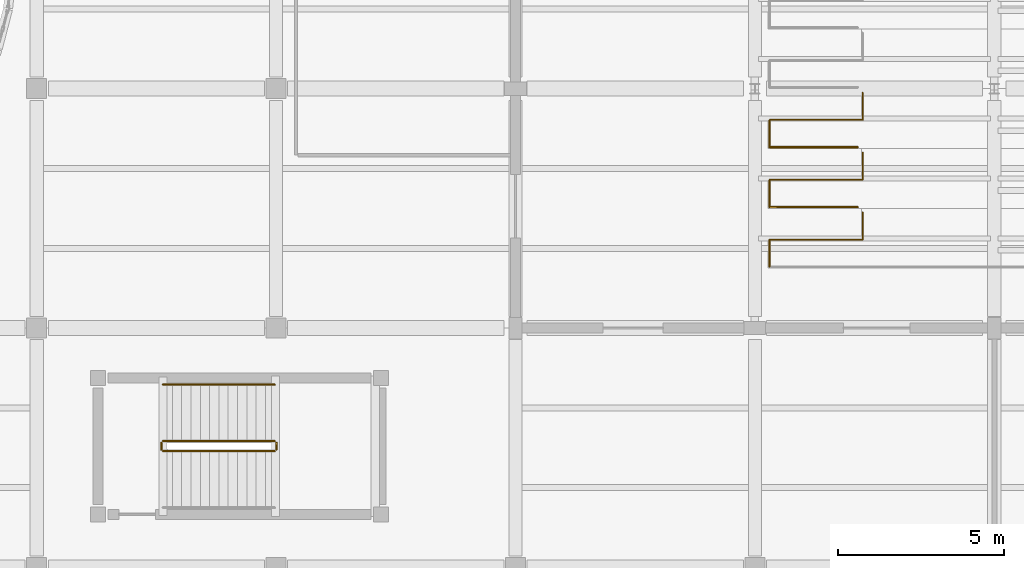
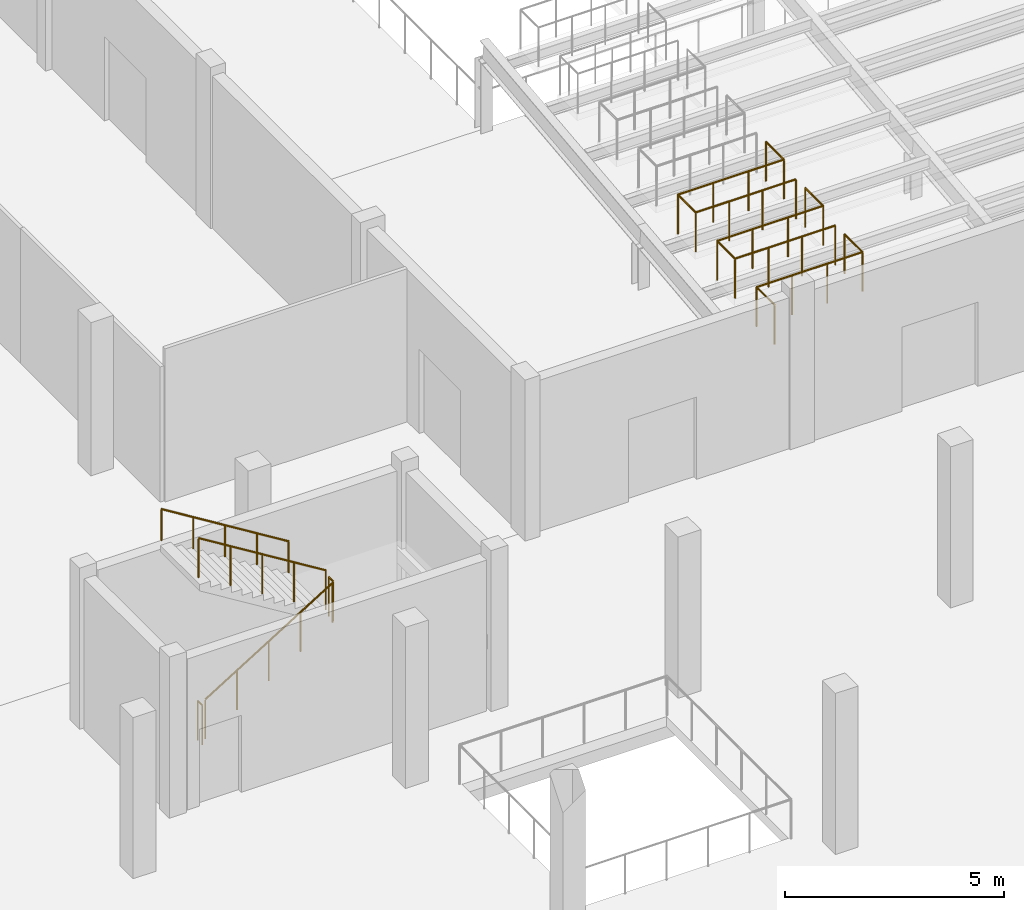
# One storey, part 98 of 105: 10 railings.
"""IFC4 building model written with IfcOpenShell, lengths in metres."""

from ifc_helpers import new_model, si_unit, direction, frame, origin, origin_2d, place, context, subcontext, project, spatial, circle, extrude, material, type_object, element, save


model = new_model("IFC4")

# Units and contexts
model_context = context("Model", 3, precision=1e-05, world=origin(), true_north=direction((0.0, 1.0)))
body_context = subcontext(model_context, "Body", "Model", "MODEL_VIEW")
ifc_project = project(units=[si_unit("LENGTHUNIT", "METRE"), si_unit("AREAUNIT", "SQUARE_METRE"), si_unit("VOLUMEUNIT", "CUBIC_METRE"), si_unit("PLANEANGLEUNIT", "RADIAN"), si_unit("MASSUNIT", "GRAM", prefix="KILO"), si_unit("THERMODYNAMICTEMPERATUREUNIT", "KELVIN"), si_unit("POWERUNIT", "WATT")], contexts=[model_context])

# Site, building, storey
site_placement = place(None, origin())
site = spatial("IfcSite", under=ifc_project, at=site_placement, CompositionType="ELEMENT")
building_placement = place(site_placement, origin())
building = spatial("IfcBuilding", under=site, at=building_placement, Name="Kaldorven Railside Theatre", CompositionType="ELEMENT")
storey_placement = place(building_placement, frame((0.0, 0.0, 9.89990234375)))
storey = spatial("IfcBuildingStorey", under=building, at=storey_placement, Name="L02", CompositionType="ELEMENT", Elevation=9.89990234375)

# Railings
ifc_material_1 = material(Name="Anodised bronze aluminium", Category="aluminium")
railing_type_1 = type_object("IfcRailingType", Name="RLG-BAL-1100", PredefinedType="BALUSTRADE", material=ifc_material_1)
for number, where, name in (
    (1, (94.840087890625, 42.639892578125, 1.4501953125), "L02 Auditorium Tier Safety Guard GR-103"),
    (2, (94.840087890625, 44.43994140625, 1.650146484375), "L02 Auditorium Tier Safety Guard GR-105"),
):
    element("IfcRailing", number, at=place(storey_placement, frame(where)), inside=storey, type_object=railing_type_1, Name=name, PredefinedType="BALUSTRADE", context=body_context, shape_type="SweptSolid", body=[
        extrude(circle(Radius=0.02392578125, at=origin_2d()), frame((0.0, 0.0, 1.09619140625), z_axis=(0.0, 1.0, 0.0), x_axis=(-1.0, 0.0, 0.0)), (0.0, 0.0, 1.0), 0.820068359375),
        extrude(circle(Radius=0.02392578125, at=origin_2d()), frame((0.0, 0.820068359375, 1.09619140625), z_axis=(1.0, 0.0, 0.0), x_axis=(0.0, 1.0, 0.0)), (0.0, 0.0, 1.0), 2.7998046875),
        extrude(circle(Radius=0.02392578125, at=origin_2d()), frame((2.7998046875, 0.820068359375, 1.09619140625), z_axis=(0.0, 1.0, 0.0), x_axis=(-1.0, 0.0, 0.0)), (0.0, 0.0, 1.0), 0.820068359375),
        extrude(circle(Radius=0.02099609375, at=origin_2d()), origin(), (0.0, 0.0, 1.0), 1.072021484375),
        extrude(circle(Radius=0.02099609375, at=origin_2d()), frame((0.0, 0.820068359375, 0.0)), (0.0, 0.0, 1.0), 1.072021484375),
        extrude(circle(Radius=0.02099609375, at=origin_2d()), frame((0.933349609375, 0.820068359375, 0.0)), (0.0, 0.0, 1.0), 1.072021484375),
        extrude(circle(Radius=0.02099609375, at=origin_2d()), frame((1.866455078125, 0.820068359375, 0.0)), (0.0, 0.0, 1.0), 1.072021484375),
        extrude(circle(Radius=0.02099609375, at=origin_2d()), frame((2.7998046875, 0.820068359375, 0.0)), (0.0, 0.0, 1.0), 1.072021484375),
        extrude(circle(Radius=0.02099609375, at=origin_2d()), frame((2.7998046875, 1.64013671875, 0.0)), (0.0, 0.0, 1.0), 1.072021484375),
    ])
railing_1_placement = place(storey_placement, frame((97.487060546875, 44.43994140625, 1.650146484375)))
element("IfcRailing", 3, at=railing_1_placement, inside=storey, type_object=railing_type_1, Name="L02 Auditorium Tier Safety Guard GR-107", PredefinedType="BALUSTRADE", context=body_context, shape_type="SweptSolid", body=[
    extrude(circle(Radius=0.02392578125, at=origin_2d()), frame((0.0, 0.0, 1.09619140625), z_axis=(-1.0, 0.0, 0.0), x_axis=(0.0, -1.0, 0.0)), (0.0, 0.0, 1.0), 2.64697265625),
    extrude(circle(Radius=0.02099609375, at=origin_2d()), origin(), (0.0, 0.0, 1.0), 1.072021484375),
    extrude(circle(Radius=0.02099609375, at=origin_2d()), frame((-0.88232421875, 0.0, 0.0)), (0.0, 0.0, 1.0), 1.072021484375),
    extrude(circle(Radius=0.02099609375, at=origin_2d()), frame((-1.7646484375, 0.0, 0.0)), (0.0, 0.0, 1.0), 1.072021484375),
    extrude(circle(Radius=0.02099609375, at=origin_2d()), frame((-2.64697265625, 0.0, 0.0)), (0.0, 0.0, 1.0), 1.072021484375),
])
railing_2_placement = place(storey_placement, frame((94.840087890625, 46.239990234375, 1.85009765625)))
element("IfcRailing", 4, at=railing_2_placement, inside=storey, type_object=railing_type_1, Name="L02 Auditorium Tier Safety Guard GR-108", PredefinedType="BALUSTRADE", context=body_context, shape_type="SweptSolid", body=[
    extrude(circle(Radius=0.02392578125, at=origin_2d()), frame((0.0, 0.0, 1.09619140625), z_axis=(0.0, 1.0, 0.0), x_axis=(-1.0, 0.0, 0.0)), (0.0, 0.0, 1.0), 0.820068359375),
    extrude(circle(Radius=0.02392578125, at=origin_2d()), frame((0.0, 0.820068359375, 1.09619140625), z_axis=(1.0, 0.0, 0.0), x_axis=(0.0, 1.0, 0.0)), (0.0, 0.0, 1.0), 2.7998046875),
    extrude(circle(Radius=0.02392578125, at=origin_2d()), frame((2.7998046875, 0.820068359375, 1.09619140625), z_axis=(0.0, 1.0, 0.0), x_axis=(-1.0, 0.0, 0.0)), (0.0, 0.0, 1.0), 0.81982421875),
    extrude(circle(Radius=0.02099609375, at=origin_2d()), origin(), (0.0, 0.0, 1.0), 1.072021484375),
    extrude(circle(Radius=0.02099609375, at=origin_2d()), frame((0.0, 0.820068359375, 0.0)), (0.0, 0.0, 1.0), 1.072021484375),
    extrude(circle(Radius=0.02099609375, at=origin_2d()), frame((0.933349609375, 0.820068359375, 0.0)), (0.0, 0.0, 1.0), 1.072021484375),
    extrude(circle(Radius=0.02099609375, at=origin_2d()), frame((1.866455078125, 0.820068359375, 0.0)), (0.0, 0.0, 1.0), 1.072021484375),
    extrude(circle(Radius=0.02099609375, at=origin_2d()), frame((2.7998046875, 0.820068359375, 0.0)), (0.0, 0.0, 1.0), 1.072021484375),
    extrude(circle(Radius=0.02099609375, at=origin_2d()), frame((2.7998046875, 1.639892578125, 0.0)), (0.0, 0.0, 1.0), 1.072021484375),
])
railing_3_placement = place(storey_placement, frame((97.487060546875, 46.239990234375, 1.85009765625)))
element("IfcRailing", 5, at=railing_3_placement, inside=storey, type_object=railing_type_1, Name="L02 Auditorium Tier Safety Guard GR-110", PredefinedType="BALUSTRADE", context=body_context, shape_type="SweptSolid", body=[
    extrude(circle(Radius=0.02392578125, at=origin_2d()), frame((0.0, 0.0, 1.09619140625), z_axis=(-1.0, 0.0, 0.0), x_axis=(0.0, -1.0, 0.0)), (0.0, 0.0, 1.0), 2.64697265625),
    extrude(circle(Radius=0.02099609375, at=origin_2d()), origin(), (0.0, 0.0, 1.0), 1.072021484375),
    extrude(circle(Radius=0.02099609375, at=origin_2d()), frame((-0.88232421875, 0.0, 0.0)), (0.0, 0.0, 1.0), 1.072021484375),
    extrude(circle(Radius=0.02099609375, at=origin_2d()), frame((-1.7646484375, 0.0, 0.0)), (0.0, 0.0, 1.0), 1.072021484375),
    extrude(circle(Radius=0.02099609375, at=origin_2d()), frame((-2.64697265625, 0.0, 0.0)), (0.0, 0.0, 1.0), 1.072021484375),
])
ifc_material_2 = material(Name="Steel S355", Category="steel")
railing_type_2 = type_object("IfcRailingType", Name="RLG-STG-1100", PredefinedType="BALUSTRADE", material=ifc_material_2)
railing_4_placement = place(storey_placement, frame((76.60009765625, 37.10009765625, 0.173095703125)))
element("IfcRailing", 6, at=railing_4_placement, inside=storey, type_object=railing_type_2, Name="L02 ST-07 stair guard 1", PredefinedType="BALUSTRADE", context=body_context, shape_type="SweptSolid", body=[
    extrude(circle(Radius=0.02392578125, at=origin_2d()), frame((0.0, 0.0, 1.09619140625), z_axis=(0.850606129759, 0.0, 0.525803396734), x_axis=(0.0, 1.0, 0.0)), (0.0, 0.0, 1.0), 3.949951171875),
    extrude(circle(Radius=0.02099609375, at=origin_2d()), origin(), (0.0, 0.0, 1.0), 1.072021484375),
    extrude(circle(Radius=0.02099609375, at=origin_2d()), frame((0.83984375, 0.0, 0.519287109375)), (0.0, 0.0, 1.0), 1.072021484375),
    extrude(circle(Radius=0.02099609375, at=origin_2d()), frame((1.679931640625, 0.0, 1.03857421875)), (0.0, 0.0, 1.0), 1.072021484375),
    extrude(circle(Radius=0.02099609375, at=origin_2d()), frame((2.52001953125, 0.0, 1.5576171875)), (0.0, 0.0, 1.0), 1.072021484375),
    extrude(circle(Radius=0.02099609375, at=origin_2d()), frame((3.35986328125, 0.0, 2.076904296875)), (0.0, 0.0, 1.0), 1.072021484375),
])
railing_5_placement = place(storey_placement, frame((80.010009765625, 37.14990234375, 2.25)))
element("IfcRailing", 7, at=railing_5_placement, inside=storey, type_object=railing_type_2, Name="L02 ST-07 stair guard 2", PredefinedType="BALUSTRADE", context=body_context, shape_type="SweptSolid", body=[
    extrude(circle(Radius=0.02392578125, at=origin_2d()), frame((0.0, 0.0, 1.09619140625), z_axis=(0.0, 1.0, 0.0), x_axis=(-1.0, 0.0, 0.0)), (0.0, 0.0, 1.0), 0.2001953125),
    extrude(circle(Radius=0.02099609375, at=origin_2d()), origin(), (0.0, 0.0, 1.0), 1.072021484375),
    extrude(circle(Radius=0.02099609375, at=origin_2d()), frame((0.0, 0.2001953125, 0.0)), (0.0, 0.0, 1.0), 1.072021484375),
])
railing_6_placement = place(storey_placement, frame((79.9599609375, 37.39990234375, 2.423095703125)))
element("IfcRailing", 8, at=railing_6_placement, inside=storey, type_object=railing_type_2, Name="L02 ST-07 stair guard 3", PredefinedType="BALUSTRADE", context=body_context, shape_type="SweptSolid", body=[
    extrude(circle(Radius=0.02392578125, at=origin_2d()), frame((0.0, 0.0, 1.09619140625), z_axis=(-0.850606129759, 0.0, 0.525803396734), x_axis=(0.0, -1.0, 0.0)), (0.0, 0.0, 1.0), 3.949951171875),
    extrude(circle(Radius=0.02099609375, at=origin_2d()), origin(), (0.0, 0.0, 1.0), 1.072021484375),
    extrude(circle(Radius=0.02099609375, at=origin_2d()), frame((-0.83984375, 0.0, 0.519287109375)), (0.0, 0.0, 1.0), 1.072021484375),
    extrude(circle(Radius=0.02099609375, at=origin_2d()), frame((-1.679931640625, 0.0, 1.03857421875)), (0.0, 0.0, 1.0), 1.072021484375),
    extrude(circle(Radius=0.02099609375, at=origin_2d()), frame((-2.52001953125, 0.0, 1.5576171875)), (0.0, 0.0, 1.0), 1.072021484375),
    extrude(circle(Radius=0.02099609375, at=origin_2d()), frame((-3.35986328125, 0.0, 2.076904296875)), (0.0, 0.0, 1.0), 1.072021484375),
])
railing_7_placement = place(storey_placement, frame((76.550048828125, 37.14990234375, 0.0)))
element("IfcRailing", 9, at=railing_7_placement, inside=storey, type_object=railing_type_2, Name="L02 ST-07 stair guard 4", PredefinedType="BALUSTRADE", context=body_context, shape_type="SweptSolid", body=[
    extrude(circle(Radius=0.02392578125, at=origin_2d()), frame((0.0, 0.0, 1.09619140625), z_axis=(0.0, 1.0, 0.0), x_axis=(-1.0, 0.0, 0.0)), (0.0, 0.0, 1.0), 0.2001953125),
    extrude(circle(Radius=0.02099609375, at=origin_2d()), origin(), (0.0, 0.0, 1.0), 1.072021484375),
    extrude(circle(Radius=0.02099609375, at=origin_2d()), frame((0.0, 0.2001953125, 0.0)), (0.0, 0.0, 1.0), 1.072021484375),
])
railing_type_3 = type_object("IfcRailingType", Name="RLG-STH-900", PredefinedType="HANDRAIL", material=ifc_material_2)
railing_8_placement = place(storey_placement, frame((79.9599609375, 39.10009765625, 2.423095703125)))
element("IfcRailing", 10, at=railing_8_placement, inside=storey, type_object=railing_type_3, Name="L02 ST-07 stair handrail 2", PredefinedType="HANDRAIL", context=body_context, shape_type="SweptSolid", body=[
    extrude(circle(Radius=0.02392578125, at=origin_2d()), frame((0.0, 0.0, 0.8759765625), z_axis=(-0.850606129759, 0.0, 0.525803396734), x_axis=(0.0, -1.0, 0.0)), (0.0, 0.0, 1.0), 3.949951171875),
    extrude(circle(Radius=0.02099609375, at=origin_2d()), origin(), (0.0, 0.0, 1.0), 0.851806640625),
    extrude(circle(Radius=0.02099609375, at=origin_2d()), frame((-0.83984375, 0.0, 0.519287109375)), (0.0, 0.0, 1.0), 0.851806640625),
    extrude(circle(Radius=0.02099609375, at=origin_2d()), frame((-1.679931640625, 0.0, 1.03857421875)), (0.0, 0.0, 1.0), 0.851806640625),
    extrude(circle(Radius=0.02099609375, at=origin_2d()), frame((-2.52001953125, 0.0, 1.5576171875)), (0.0, 0.0, 1.0), 0.851806640625),
    extrude(circle(Radius=0.02099609375, at=origin_2d()), frame((-3.35986328125, 0.0, 2.076904296875)), (0.0, 0.0, 1.0), 0.851806640625),
])

save(model, "model.ifc")
